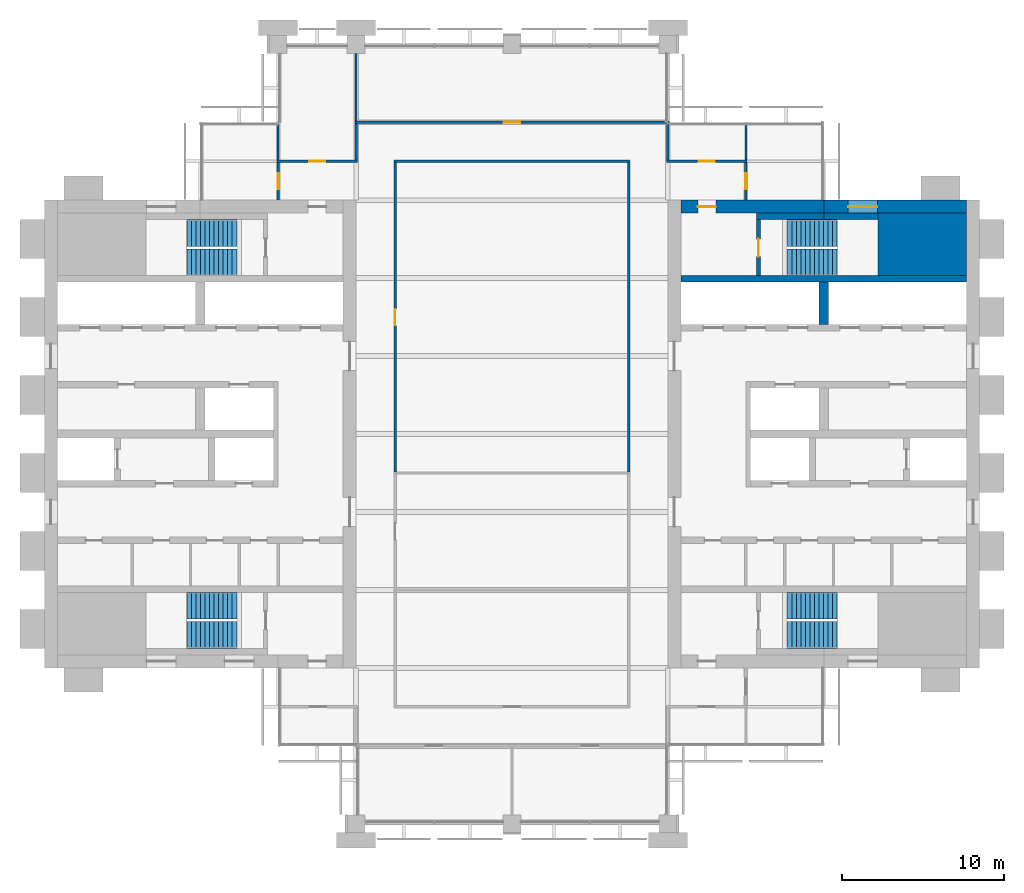
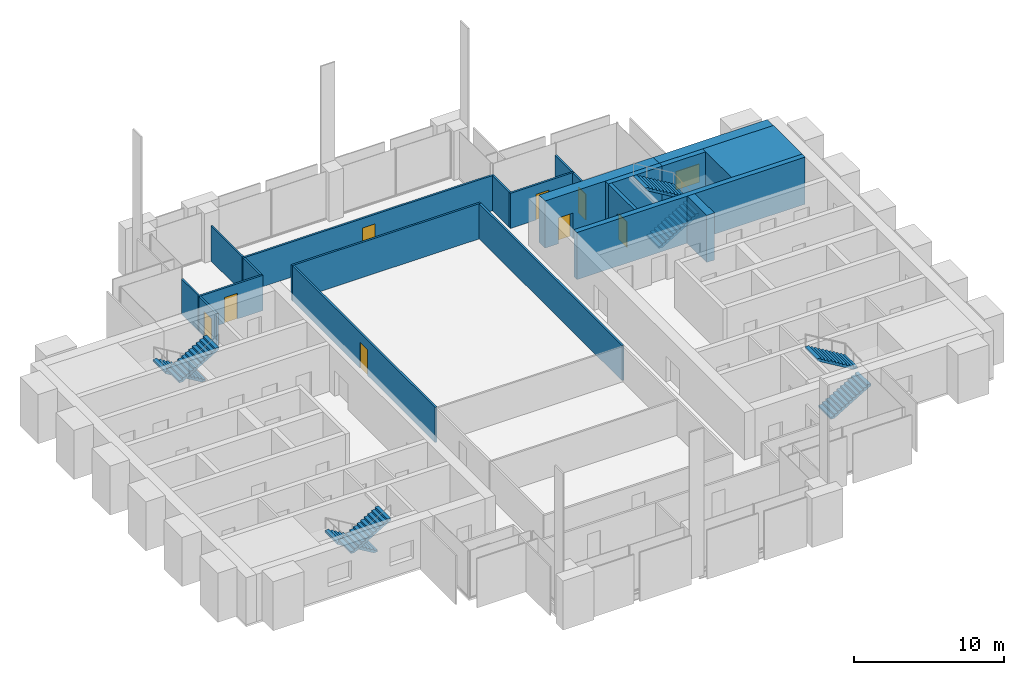
# One storey, part 11 of 13: 21 walls, 8 doors, 8 stair flights, 1 window, 9 openings, 4 elements without a shape of their own.
"""IFC4 building model written with IfcOpenShell, lengths in metres."""

import ifcopenshell
import ifcopenshell.guid

model = None  # the IFC model being written
_history = None  # IfcOwnerHistory: only IFC2X3 demands one
_inside = {}  # id of a spatial element -> (the spatial element, [elements in it])
_under = {}  # id of a project, library or spatial element -> (it, [spatial elements below it])
_declared = {}  # id of a project -> (the project, [libraries it declares])
_typed = {}  # id of a type object -> (the type object, [elements of that type])
_made_of = {}  # id of a material, layer set ... -> (it, [elements and type objects made of it])


def new_model(schema):
    """Start an empty IFC model of exactly this schema.

    Asked for "IFC4X3", IfcOpenShell would pick the latest addendum, in which some entities
    have other attributes; the version numbers below select the first issue.
    IFC2X3 requires an IfcOwnerHistory on every rooted entity: one is made here for all.
    """
    global model, _history
    if schema == "IFC4X3":
        model = ifcopenshell.file(schema_version=(4, 3, 0, 0))
    else:
        model = ifcopenshell.file(schema=schema)
    _inside.clear()
    _under.clear()
    _declared.clear()
    _typed.clear()
    _made_of.clear()
    _history = None
    if model.schema == "IFC2X3":
        org = make("IfcOrganization", Name="unknown")
        user = make(
            "IfcPersonAndOrganization",
            ThePerson=make("IfcPerson", FamilyName="unknown"),
            TheOrganization=org,
        )
        app = make(
            "IfcApplication",
            ApplicationDeveloper=org,
            Version="unknown",
            ApplicationFullName="unknown",
            ApplicationIdentifier="unknown",
        )
        _history = make(
            "IfcOwnerHistory",
            OwningUser=user,
            OwningApplication=app,
            ChangeAction="ADDED",
            CreationDate=0,
        )
    return model


def make(cls, **values):
    """One entity of the class cls with the attributes given. An attribute that is None is left unset."""
    return model.create_entity(
        cls, **{name: value for name, value in values.items() if value is not None}
    )


def rooted(cls, **values):
    """An entity with a GlobalId (a new one), such as an element, a storey or a relation."""
    return make(cls, GlobalId=ifcopenshell.guid.new(), OwnerHistory=_history, **values)


def si_unit(unit_type, name, prefix=None):
    """IfcSIUnit, for example si_unit("LENGTHUNIT", "METRE", prefix="MILLI")."""
    return make("IfcSIUnit", UnitType=unit_type, Prefix=prefix, Name=name)


def assignment(units):
    """IfcUnitAssignment: the units of a project."""
    return None if units is None else make("IfcUnitAssignment", Units=units)


def point(xyz):
    """IfcCartesianPoint."""
    return None if xyz is None else make("IfcCartesianPoint", Coordinates=xyz)


def direction(xyz):
    """IfcDirection."""
    return None if xyz is None else make("IfcDirection", DirectionRatios=xyz)


def frame(location, z_axis=None, x_axis=None):
    """IfcAxis2Placement3D, a coordinate frame: its origin and axes. An axis left out is left unset."""
    return make(
        "IfcAxis2Placement3D",
        Location=point(location),
        Axis=direction(z_axis),
        RefDirection=direction(x_axis),
    )


def frame_2d(location, x_axis=None):
    """IfcAxis2Placement2D, a coordinate frame in the plane: its origin and x axis."""
    return make(
        "IfcAxis2Placement2D", Location=point(location), RefDirection=direction(x_axis)
    )


def origin():
    """The frame at (0, 0, 0) with its axes left unset."""
    return frame((0.0, 0.0, 0.0))


def place(relative_to, where):
    """IfcLocalPlacement: puts the frame where relative to a parent placement (None: the world)."""
    return make(
        "IfcLocalPlacement", PlacementRelTo=relative_to, RelativePlacement=where
    )


def context(
    kind, dimensions, precision=None, world=None, true_north=None, identifier=None
):
    """IfcGeometricRepresentationContext, for example the 3D "Model" context."""
    return make(
        "IfcGeometricRepresentationContext",
        ContextIdentifier=identifier,
        ContextType=kind,
        CoordinateSpaceDimension=dimensions,
        Precision=precision,
        WorldCoordinateSystem=world,
        TrueNorth=true_north,
    )


def subcontext(parent, identifier, kind, view, scale=None):
    """IfcGeometricRepresentationSubContext, for example "Body" below "Model"."""
    return make(
        "IfcGeometricRepresentationSubContext",
        ContextIdentifier=identifier,
        ContextType=kind,
        ParentContext=parent,
        TargetScale=scale,
        TargetView=view,
    )


def project(units=None, contexts=None):
    """IfcProject with its units and contexts."""
    return rooted(
        "IfcProject",
        Name="project",
        RepresentationContexts=contexts,
        UnitsInContext=assignment(units),
    )


def spatial(cls, under=None, at=None, **own):
    """A site, building, storey or space (cls), placed at a placement, below another one or the project."""
    s = rooted(cls, ObjectPlacement=at, **own)
    if under is not None:
        _under.setdefault(under.id(), (under, []))[1].append(s)
    return s


def polyline(points):
    """IfcPolyline through the points."""
    return make("IfcPolyline", Points=[point(p) for p in points])


def profile(cls, at=None, kind="AREA", **sizes):
    """A parametric profile (cls). Its sizes go by their IFC names, for example OverallWidth=200.0."""
    return make(cls, ProfileType=kind, Position=at, **sizes)


def rectangle(**sizes):
    """IfcRectangleProfileDef."""
    return profile("IfcRectangleProfileDef", **sizes)


def outline(outer, holes=None, kind="AREA"):
    """IfcArbitraryClosedProfileDef: a profile drawn as a closed curve; with holes, ...WithVoids."""
    if holes is None:
        return make("IfcArbitraryClosedProfileDef", ProfileType=kind, OuterCurve=outer)
    return make(
        "IfcArbitraryProfileDefWithVoids",
        ProfileType=kind,
        OuterCurve=outer,
        InnerCurves=holes,
    )


def extrude(swept, where, along, depth):
    """IfcExtrudedAreaSolid: the profile swept, set in the frame where, extruded along a direction by depth."""
    return make(
        "IfcExtrudedAreaSolid",
        SweptArea=swept,
        Position=where,
        ExtrudedDirection=direction(along),
        Depth=depth,
    )


def shape(context_of_items, identifier, shape_type, items):
    """IfcShapeRepresentation: the items that make up one representation, for example the "Body"."""
    return make(
        "IfcShapeRepresentation",
        ContextOfItems=context_of_items,
        RepresentationIdentifier=identifier,
        RepresentationType=shape_type,
        Items=items,
    )


def material(Name=None, Category=None):
    """IfcMaterial."""
    return make("IfcMaterial", Name=Name, Category=Category)


def layer(
    of_material, thickness, ventilated=None, Name=None, Category=None, Priority=None
):
    """IfcMaterialLayer: one layer of a wall or slab, of a material (None: an air gap)."""
    return make(
        "IfcMaterialLayer",
        Material=of_material,
        LayerThickness=thickness,
        IsVentilated=ventilated,
        Name=Name,
        Category=Category,
        Priority=Priority,
    )


def layer_set(layers, Name=None):
    """IfcMaterialLayerSet."""
    return make("IfcMaterialLayerSet", MaterialLayers=layers, LayerSetName=Name)


def made_of(thing, what):
    """Note that an element or type object is made of a material, layer set ...; save() writes the relation."""
    if what is not None:
        _made_of.setdefault(what.id(), (what, []))[1].append(thing)
    return thing


def type_object(cls, material=None, **own):
    """A type object (cls), such as IfcWallType, which elements share."""
    return made_of(rooted(cls, **own), material)


def element(
    cls,
    number,
    at=None,
    inside=None,
    cuts=None,
    type_object=None,
    material=None,
    context=None,
    identifier="Body",
    shape_type=None,
    held_by="IfcProductDefinitionShape",
    body=None,
    shapes=None,
    **own,
):
    """One element of the class cls, such as IfcWall. Its Tag is "e" and its number.

    at: its placement. inside: the storey or other place that contains it. cuts: it is an
    opening in that element (IfcRelVoidsElement). A single representation is given by context,
    identifier, shape_type and body (its items); several are given by shapes. held_by: the class
    of the entity that holds the representations. save() writes the other relations.
    """
    e = rooted(cls, Tag="e%d" % number, ObjectPlacement=at, **own)
    if body is not None:
        shapes = [shape(context, identifier, shape_type, body)]
    if shapes is not None:
        e.Representation = make(held_by, Representations=shapes)
    if inside is not None:
        _inside.setdefault(inside.id(), (inside, []))[1].append(e)
    if cuts is not None:
        rooted(
            "IfcRelVoidsElement", RelatingBuildingElement=cuts, RelatedOpeningElement=e
        )
    if type_object is not None:
        _typed.setdefault(type_object.id(), (type_object, []))[1].append(e)
    return made_of(e, material)


def fill(opening, filler):
    """IfcRelFillsElement: the door or window that sits in an opening."""
    return rooted(
        "IfcRelFillsElement",
        RelatingOpeningElement=opening,
        RelatedBuildingElement=filler,
    )


def aggregate(whole, parts):
    """IfcRelAggregates: a whole, such as a stair, and the parts it consists of."""
    return rooted("IfcRelAggregates", RelatingObject=whole, RelatedObjects=parts)


def save(model, path):
    """Write the relations noted so far, then the file.

    IfcRelAggregates (storeys below a building ...), IfcRelContainedInSpatialStructure (elements
    in a storey), IfcRelDefinesByType, IfcRelAssociatesMaterial and IfcRelDeclares: one each for
    every whole, place, type object, material and project.
    """
    for whole, parts in _under.values():
        aggregate(whole, parts)
    for where, things in _inside.values():
        rooted(
            "IfcRelContainedInSpatialStructure",
            RelatedElements=things,
            RelatingStructure=where,
        )
    for kind, things in _typed.values():
        rooted("IfcRelDefinesByType", RelatedObjects=things, RelatingType=kind)
    for what, things in _made_of.values():
        rooted("IfcRelAssociatesMaterial", RelatedObjects=things, RelatingMaterial=what)
    for by, libraries in _declared.values():
        rooted("IfcRelDeclares", RelatingContext=by, RelatedDefinitions=libraries)
    model.write(path)


model = new_model("IFC4")

# Units and contexts
model_context = context("Model", 3, precision=1e-05, world=origin(), true_north=direction((0.0, 1.0)))
body_context = subcontext(model_context, "Body", "Model", "MODEL_VIEW")
ifc_project = project(units=[si_unit("LENGTHUNIT", "METRE"), si_unit("AREAUNIT", "SQUARE_METRE"), si_unit("VOLUMEUNIT", "CUBIC_METRE"), si_unit("PLANEANGLEUNIT", "RADIAN"), si_unit("MASSUNIT", "GRAM", prefix="KILO")], contexts=[model_context])

# Site, building, storey
site_placement = place(None, origin())
site = spatial("IfcSite", under=ifc_project, at=site_placement, CompositionType="ELEMENT")
building_placement = place(site_placement, origin())
building = spatial("IfcBuilding", under=site, at=building_placement, Name="Baori Bourse Tower", CompositionType="ELEMENT")
storey_placement = place(building_placement, frame((0.0, 0.0, 213.199951171875)))
storey = spatial("IfcBuildingStorey", under=building, at=storey_placement, Name="L46", CompositionType="ELEMENT", Elevation=213.199951171875)

# Wall
ifc_material_1 = material(Name="Concrete f'c 50 MPa", Category="concrete")
wall_type_1 = type_object("IfcWallType", Name="Core corner block f'c 50", PredefinedType="SHEAR", material=ifc_material_1)
wall_1_placement = place(storey_placement, frame((51.35009765625, 35.675048828125, 0.0), z_axis=(0.0, 0.0, 1.0), x_axis=(1.0, 0.0, 0.0)))
element("IfcWall", 1, at=wall_1_placement, inside=storey, type_object=wall_type_1, Name="Core wall E25", PredefinedType="SHEAR", context=body_context, shape_type="SweptSolid", body=[
    extrude(rectangle(XDim=5.449951171875, YDim=3.85009765625, at=frame_2d((2.72509765625, 0.0))), origin(), (0.0, 0.0, 1.0), 3.840087890625),
])

# Wall, opening, window
ifc_material_2 = material(Name="Concrete f'c 50 MPa", Category="concrete")
ifc_layer_1 = layer(ifc_material_2, 0.800048828125)
ifc_layer_set_1 = layer_set([ifc_layer_1], Name="Core wall 800 f'c 50")
wall_type_2 = type_object("IfcWallType", Name="Core wall 800 f'c 50", PredefinedType="SHEAR", material=ifc_layer_set_1)
wall_2_placement = place(storey_placement, frame((48.0, 38.0, 0.0), z_axis=(0.0, 0.0, 1.0), x_axis=(1.0, 0.0, 0.0)))
wall_2 = element("IfcWall", 2, at=wall_2_placement, inside=storey, type_object=wall_type_2, Name="Core wall E29", PredefinedType="SHEAR", context=body_context, shape_type="SweptSolid", body=[
    extrude(rectangle(XDim=8.800048828125, YDim=0.800048828125, at=frame_2d((4.39990234375, 0.0))), origin(), (0.0, 0.0, 1.0), 3.840087890625),
])
opening_1_placement = place(wall_2_placement, frame((1.5, 0.0, 0.89990234375)))
opening_1 = element("IfcOpeningElement", 3, at=opening_1_placement, cuts=wall_2, Name="Opening L46-KW204", PredefinedType="OPENING", context=body_context, shape_type="SweptSolid", body=[
    extrude(rectangle(XDim=1.800048828125, YDim=1.5, at=frame_2d((0.89990234375, 0.75))), frame((0.0, 0.409912109375, 0.0), z_axis=(0.0, -1.0, 0.0), x_axis=(1.0, 0.0, 0.0)), (0.0, 0.0, 1.0), 0.820068359375),
])
ifc_material_3 = material(Name="Pale anodised aluminium", Category="aluminium")
window_type = type_object("IfcWindowType", Name="Stair window 1800 x 1500", PartitioningType="SINGLE_PANEL", PredefinedType="WINDOW", material=ifc_material_3)
window_placement = place(opening_1_placement, origin())
window = element("IfcWindow", 4, at=window_placement, inside=storey, type_object=window_type, Name="Stair window E L46 4", OverallHeight=1.5, OverallWidth=1.800048828125, PartitioningType="SINGLE_PANEL", PredefinedType="WINDOW", context=body_context, shape_type="SweptSolid", body=[
    extrude(rectangle(XDim=1.800048828125, YDim=1.5, at=frame_2d((0.89990234375, 0.75))), frame((0.0, 0.030029296875, 0.0), z_axis=(0.0, -1.0, 0.0), x_axis=(1.0, 0.0, 0.0)), (0.0, 0.0, 1.0), 0.06005859375),
])
fill(opening_1, window)

# Wall, opening, door
wall_3_placement = place(storey_placement, frame((39.199951171875, 38.0, 0.0), z_axis=(0.0, 0.0, 1.0), x_axis=(1.0, 0.0, 0.0)))
wall_3 = element("IfcWall", 5, at=wall_3_placement, inside=storey, type_object=wall_type_2, Name="Core wall E30", PredefinedType="SHEAR", context=body_context, shape_type="SweptSolid", body=[
    extrude(rectangle(XDim=8.800048828125, YDim=0.800048828125, at=frame_2d((4.39990234375, 0.0))), origin(), (0.0, 0.0, 1.0), 3.840087890625),
])
opening_2_placement = place(wall_3_placement, frame((1.050048828125, 0.0, 0.0)))
opening_2 = element("IfcOpeningElement", 6, at=opening_2_placement, cuts=wall_3, Name="Opening L46-D204", PredefinedType="OPENING", context=body_context, shape_type="SweptSolid", body=[
    extrude(rectangle(XDim=1.10009765625, YDim=2.10009765625, at=frame_2d((0.550048828125, 1.050048828125))), frame((0.0, 0.409912109375, 0.0), z_axis=(0.0, -1.0, 0.0), x_axis=(1.0, 0.0, 0.0)), (0.0, 0.0, 1.0), 0.820068359375),
])
ifc_material_4 = material(Name="Painted steel door", Category="steel")
door_type_1 = type_object("IfcDoorType", Name="Stair door 1100", OperationType="SINGLE_SWING_LEFT", PredefinedType="DOOR", material=ifc_material_4)
door_1_placement = place(opening_2_placement, origin())
door_1 = element("IfcDoor", 7, at=door_1_placement, inside=storey, type_object=door_type_1, Name="Stair vestibule door B E L46", OperationType="SINGLE_SWING_LEFT", OverallHeight=2.10009765625, OverallWidth=1.10009765625, PredefinedType="DOOR", context=body_context, shape_type="SweptSolid", body=[
    extrude(rectangle(XDim=1.10009765625, YDim=2.10009765625, at=frame_2d((0.550048828125, 1.050048828125))), frame((0.0, 0.02490234375, 0.0), z_axis=(0.0, -1.0, 0.0), x_axis=(1.0, 0.0, 0.0)), (0.0, 0.0, 1.0), 0.050048828125),
])
fill(opening_2, door_1)

ifc_material_5 = material(Name="Gypsum board partition")
ifc_layer_2 = layer(ifc_material_5, 0.14990234375)
ifc_layer_set_2 = layer_set([ifc_layer_2], Name="Corridor partition 150")
wall_type_3 = type_object("IfcWallType", Name="Corridor partition 150", PredefinedType="PARTITIONING", material=ifc_layer_set_2)
wall_4_placement = place(storey_placement, frame((14.324951171875, 40.800048828125, 0.0), z_axis=(0.0, 0.0, 1.0), x_axis=(1.0, 0.0, 0.0)))
wall_4 = element("IfcWall", 8, at=wall_4_placement, inside=storey, type_object=wall_type_3, Name="Partition", PredefinedType="PARTITIONING", context=body_context, shape_type="SweptSolid", body=[
    extrude(rectangle(XDim=4.949951171875, YDim=0.14990234375, at=frame_2d((2.47509765625, 0.0))), origin(), (0.0, 0.0, 1.0), 2.869873046875),
])
opening_3_placement = place(wall_4_placement, frame((1.97509765625, 0.0, 0.0)))
opening_3 = element("IfcOpeningElement", 9, at=opening_3_placement, cuts=wall_4, Name="Opening L46-D06", PredefinedType="OPENING", context=body_context, shape_type="SweptSolid", body=[
    extrude(rectangle(XDim=1.0, YDim=2.10009765625, at=frame_2d((0.5, 1.050048828125))), frame((0.0, 0.0849609375, 0.0), z_axis=(0.0, -1.0, 0.0), x_axis=(1.0, 0.0, 0.0)), (0.0, 0.0, 1.0), 0.169921875),
])
ifc_material_6 = material(Name="Timber door leaf", Category="wood")
door_type_2 = type_object("IfcDoorType", Name="Door 1000 x 2100", OperationType="SINGLE_SWING_LEFT", PredefinedType="DOOR", material=ifc_material_6)
door_2_placement = place(opening_3_placement, origin())
door_2 = element("IfcDoor", 10, at=door_2_placement, inside=storey, type_object=door_type_2, Name="Door", OperationType="SINGLE_SWING_LEFT", OverallHeight=2.10009765625, OverallWidth=1.0, PredefinedType="DOOR", context=body_context, shape_type="SweptSolid", body=[
    extrude(rectangle(XDim=1.0, YDim=2.10009765625, at=frame_2d((0.5, 1.050048828125))), frame((0.0, 0.02490234375, 0.0), z_axis=(0.0, -1.0, 0.0), x_axis=(1.0, 0.0, 0.0)), (0.0, 0.0, 1.0), 0.050048828125),
])
fill(opening_3, door_2)

# Wall
wall_5_placement = place(storey_placement, frame((21.52490234375, 40.800048828125, 0.0), z_axis=(0.0, 0.0, 1.0), x_axis=(1.0, 0.0, 0.0)))
element("IfcWall", 11, at=wall_5_placement, inside=storey, type_object=wall_type_3, Name="Partition", PredefinedType="PARTITIONING", context=body_context, shape_type="SweptSolid", body=[
    extrude(rectangle(XDim=14.550048828125, YDim=0.14990234375, at=frame_2d((7.27490234375, 0.0))), origin(), (0.0, 0.0, 1.0), 2.869873046875),
])

# Wall, opening, door
wall_6_placement = place(storey_placement, frame((38.324951171875, 40.800048828125, 0.0), z_axis=(0.0, 0.0, 1.0), x_axis=(1.0, 0.0, 0.0)))
wall_6 = element("IfcWall", 12, at=wall_6_placement, inside=storey, type_object=wall_type_3, Name="Partition", PredefinedType="PARTITIONING", context=body_context, shape_type="SweptSolid", body=[
    extrude(rectangle(XDim=4.949951171875, YDim=0.14990234375, at=frame_2d((2.47509765625, 0.0))), origin(), (0.0, 0.0, 1.0), 2.869873046875),
])
opening_4_placement = place(wall_6_placement, frame((1.97509765625, 0.0, 0.0)))
opening_4 = element("IfcOpeningElement", 13, at=opening_4_placement, cuts=wall_6, Name="Opening L46-D07", PredefinedType="OPENING", context=body_context, shape_type="SweptSolid", body=[
    extrude(rectangle(XDim=1.0, YDim=2.10009765625, at=frame_2d((0.5, 1.050048828125))), frame((0.0, 0.0849609375, 0.0), z_axis=(0.0, -1.0, 0.0), x_axis=(1.0, 0.0, 0.0)), (0.0, 0.0, 1.0), 0.169921875),
])
door_3_placement = place(opening_4_placement, origin())
door_3 = element("IfcDoor", 14, at=door_3_placement, inside=storey, type_object=door_type_2, Name="Door", OperationType="SINGLE_SWING_RIGHT", OverallHeight=2.10009765625, OverallWidth=1.0, PredefinedType="DOOR", context=body_context, shape_type="SweptSolid", body=[
    extrude(rectangle(XDim=1.0, YDim=2.10009765625, at=frame_2d((0.5, 1.050048828125))), frame((0.0, 0.02490234375, 0.0), z_axis=(0.0, -1.0, 0.0), x_axis=(1.0, 0.0, 0.0)), (0.0, 0.0, 1.0), 0.050048828125),
])
fill(opening_4, door_3)

wall_7_placement = place(storey_placement, frame((19.125, 43.199951171875, 0.0), z_axis=(0.0, 0.0, 1.0), x_axis=(1.0, 0.0, 0.0)))
wall_7 = element("IfcWall", 15, at=wall_7_placement, inside=storey, type_object=wall_type_3, Name="Partition", PredefinedType="PARTITIONING", context=body_context, shape_type="SweptSolid", body=[
    extrude(rectangle(XDim=19.35009765625, YDim=0.14990234375, at=frame_2d((9.675048828125, 0.0))), origin(), (0.0, 0.0, 1.0), 2.869873046875),
])
opening_5_placement = place(wall_7_placement, frame((9.175048828125, 0.0, 0.0)))
opening_5 = element("IfcOpeningElement", 16, at=opening_5_placement, cuts=wall_7, Name="Opening L46-D08", PredefinedType="OPENING", context=body_context, shape_type="SweptSolid", body=[
    extrude(rectangle(XDim=1.0, YDim=2.10009765625, at=frame_2d((0.5, 1.050048828125))), frame((0.0, 0.0849609375, 0.0), z_axis=(0.0, -1.0, 0.0), x_axis=(1.0, 0.0, 0.0)), (0.0, 0.0, 1.0), 0.169921875),
])
door_4_placement = place(opening_5_placement, origin())
door_4 = element("IfcDoor", 17, at=door_4_placement, inside=storey, type_object=door_type_2, Name="Door", OperationType="SINGLE_SWING_RIGHT", OverallHeight=2.10009765625, OverallWidth=1.0, PredefinedType="DOOR", context=body_context, shape_type="SweptSolid", body=[
    extrude(rectangle(XDim=1.0, YDim=2.10009765625, at=frame_2d((0.5, 1.050048828125))), frame((0.0, 0.02490234375, 0.0), z_axis=(0.0, -1.0, 0.0), x_axis=(1.0, 0.0, 0.0)), (0.0, 0.0, 1.0), 0.050048828125),
])
fill(opening_5, door_4)

wall_8_placement = place(storey_placement, frame((14.39990234375, 38.39990234375, 0.0), z_axis=(0.0, 0.0, 1.0), x_axis=(0.0, 1.0, 0.0)))
wall_8 = element("IfcWall", 18, at=wall_8_placement, inside=storey, type_object=wall_type_3, Name="Partition", PredefinedType="PARTITIONING", context=body_context, shape_type="SweptSolid", body=[
    extrude(rectangle(XDim=2.3251953125, YDim=0.14990234375, at=frame_2d((1.16259765625, 0.0))), origin(), (0.0, 0.0, 1.0), 2.869873046875),
])
opening_6_placement = place(wall_8_placement, frame((0.66259765625, 0.0, 0.0)))
opening_6 = element("IfcOpeningElement", 19, at=opening_6_placement, cuts=wall_8, Name="Opening L46-D09", PredefinedType="OPENING", context=body_context, shape_type="SweptSolid", body=[
    extrude(rectangle(XDim=1.0, YDim=2.10009765625, at=frame_2d((0.5, 1.050048828125))), frame((0.0, 0.0849609375, 0.0), z_axis=(0.0, -1.0, 0.0), x_axis=(1.0, 0.0, 0.0)), (0.0, 0.0, 1.0), 0.169921875),
])
door_5_placement = place(opening_6_placement, origin())
door_5 = element("IfcDoor", 20, at=door_5_placement, inside=storey, type_object=door_type_2, Name="Door", OperationType="SINGLE_SWING_RIGHT", OverallHeight=2.10009765625, OverallWidth=1.0, PredefinedType="DOOR", context=body_context, shape_type="SweptSolid", body=[
    extrude(rectangle(XDim=1.0, YDim=2.10009765625, at=frame_2d((0.5, 1.050048828125))), frame((0.0, 0.02490234375, 0.0), z_axis=(0.0, -1.0, 0.0), x_axis=(1.0, 0.0, 0.0)), (0.0, 0.0, 1.0), 0.050048828125),
])
fill(opening_6, door_5)

# Wall
wall_9_placement = place(storey_placement, frame((19.199951171875, 40.875, 0.0), z_axis=(0.0, 0.0, 1.0), x_axis=(0.0, 1.0, 0.0)))
element("IfcWall", 21, at=wall_9_placement, inside=storey, type_object=wall_type_3, Name="Partition", PredefinedType="PARTITIONING", context=body_context, shape_type="SweptSolid", body=[
    extrude(rectangle(XDim=2.25, YDim=0.14990234375, at=frame_2d((1.125, 0.0))), origin(), (0.0, 0.0, 1.0), 2.869873046875),
])

# Wall, opening, door
wall_10_placement = place(storey_placement, frame((21.60009765625, 21.66259765625, 0.0), z_axis=(0.0, 0.0, 1.0), x_axis=(0.0, 1.0, 0.0)))
wall_10 = element("IfcWall", 22, at=wall_10_placement, inside=storey, type_object=wall_type_3, Name="Partition", PredefinedType="PARTITIONING", context=body_context, shape_type="SweptSolid", body=[
    extrude(rectangle(XDim=19.0625, YDim=0.14990234375, at=frame_2d((9.53125, 0.0))), origin(), (0.0, 0.0, 1.0), 2.869873046875),
])
opening_7_placement = place(wall_10_placement, frame((9.03125, 0.0, 0.0)))
opening_7 = element("IfcOpeningElement", 23, at=opening_7_placement, cuts=wall_10, Name="Opening L46-D11", PredefinedType="OPENING", context=body_context, shape_type="SweptSolid", body=[
    extrude(rectangle(XDim=1.0, YDim=2.10009765625, at=frame_2d((0.5, 1.050048828125))), frame((0.0, 0.0849609375, 0.0), z_axis=(0.0, -1.0, 0.0), x_axis=(1.0, 0.0, 0.0)), (0.0, 0.0, 1.0), 0.169921875),
])
door_6_placement = place(opening_7_placement, origin())
door_6 = element("IfcDoor", 24, at=door_6_placement, inside=storey, type_object=door_type_2, Name="Door", OperationType="SINGLE_SWING_LEFT", OverallHeight=2.10009765625, OverallWidth=1.0, PredefinedType="DOOR", context=body_context, shape_type="SweptSolid", body=[
    extrude(rectangle(XDim=1.0, YDim=2.10009765625, at=frame_2d((0.5, 1.050048828125))), frame((0.0, 0.02490234375, 0.0), z_axis=(0.0, -1.0, 0.0), x_axis=(1.0, 0.0, 0.0)), (0.0, 0.0, 1.0), 0.050048828125),
])
fill(opening_7, door_6)

# Walls
wall_11_placement = place(storey_placement, frame((36.0, 21.66259765625, 0.0), z_axis=(0.0, 0.0, 1.0), x_axis=(0.0, 1.0, 0.0)))
element("IfcWall", 25, at=wall_11_placement, inside=storey, type_object=wall_type_3, Name="Partition", PredefinedType="PARTITIONING", context=body_context, shape_type="SweptSolid", body=[
    extrude(rectangle(XDim=19.0625, YDim=0.14990234375, at=frame_2d((9.53125, 0.0))), origin(), (0.0, 0.0, 1.0), 2.869873046875),
])
wall_12_placement = place(storey_placement, frame((38.39990234375, 40.875, 0.0), z_axis=(0.0, 0.0, 1.0), x_axis=(0.0, 1.0, 0.0)))
element("IfcWall", 26, at=wall_12_placement, inside=storey, type_object=wall_type_3, Name="Partition", PredefinedType="PARTITIONING", context=body_context, shape_type="SweptSolid", body=[
    extrude(rectangle(XDim=2.25, YDim=0.14990234375, at=frame_2d((1.125, 0.0))), origin(), (0.0, 0.0, 1.0), 2.869873046875),
])

# Wall, opening, door
wall_13_placement = place(storey_placement, frame((43.199951171875, 38.39990234375, 0.0), z_axis=(0.0, 0.0, 1.0), x_axis=(0.0, 1.0, 0.0)))
wall_13 = element("IfcWall", 27, at=wall_13_placement, inside=storey, type_object=wall_type_3, Name="Partition", PredefinedType="PARTITIONING", context=body_context, shape_type="SweptSolid", body=[
    extrude(rectangle(XDim=2.3251953125, YDim=0.14990234375, at=frame_2d((1.16259765625, 0.0))), origin(), (0.0, 0.0, 1.0), 2.869873046875),
])
opening_8_placement = place(wall_13_placement, frame((0.66259765625, 0.0, 0.0)))
opening_8 = element("IfcOpeningElement", 28, at=opening_8_placement, cuts=wall_13, Name="Opening L46-D13", PredefinedType="OPENING", context=body_context, shape_type="SweptSolid", body=[
    extrude(rectangle(XDim=1.0, YDim=2.10009765625, at=frame_2d((0.5, 1.050048828125))), frame((0.0, 0.0849609375, 0.0), z_axis=(0.0, -1.0, 0.0), x_axis=(1.0, 0.0, 0.0)), (0.0, 0.0, 1.0), 0.169921875),
])
door_7_placement = place(opening_8_placement, origin())
door_7 = element("IfcDoor", 29, at=door_7_placement, inside=storey, type_object=door_type_2, Name="Door", OperationType="SINGLE_SWING_LEFT", OverallHeight=2.10009765625, OverallWidth=1.0, PredefinedType="DOOR", context=body_context, shape_type="SweptSolid", body=[
    extrude(rectangle(XDim=1.0, YDim=2.10009765625, at=frame_2d((0.5, 1.050048828125))), frame((0.0, 0.02490234375, 0.0), z_axis=(0.0, -1.0, 0.0), x_axis=(1.0, 0.0, 0.0)), (0.0, 0.0, 1.0), 0.050048828125),
])
fill(opening_8, door_7)

# Walls
ifc_material_7 = material(Name="Gypsum board partition")
ifc_layer_3 = layer(ifc_material_7, 0.125)
ifc_layer_set_3 = layer_set([ifc_layer_3], Name="Partition 125")
wall_type_4 = type_object("IfcWallType", Name="Partition 125", PredefinedType="PARTITIONING", material=ifc_layer_set_3)
wall_14_placement = place(storey_placement, frame((14.39990234375, 40.875, 0.0), z_axis=(0.0, 0.0, 1.0), x_axis=(0.0, 1.0, 0.0)))
element("IfcWall", 30, at=wall_14_placement, inside=storey, type_object=wall_type_4, Name="Partition", PredefinedType="PARTITIONING", context=body_context, shape_type="SweptSolid", body=[
    extrude(rectangle(XDim=2.22509765625, YDim=0.125, at=frame_2d((1.112548828125, 0.0))), origin(), (0.0, 0.0, 1.0), 2.869873046875),
])
wall_15_placement = place(storey_placement, frame((19.199951171875, 43.27490234375, 0.0), z_axis=(0.0, 0.0, 1.0), x_axis=(0.0, 1.0, 0.0)))
element("IfcWall", 31, at=wall_15_placement, inside=storey, type_object=wall_type_4, Name="Partition", PredefinedType="PARTITIONING", context=body_context, shape_type="SweptSolid", body=[
    extrude(rectangle(XDim=4.175048828125, YDim=0.125, at=frame_2d((2.08740234375, 0.0))), origin(), (0.0, 0.0, 1.0), 2.869873046875),
])
wall_16_placement = place(storey_placement, frame((43.199951171875, 40.875, 0.0), z_axis=(0.0, 0.0, 1.0), x_axis=(0.0, 1.0, 0.0)))
element("IfcWall", 32, at=wall_16_placement, inside=storey, type_object=wall_type_4, Name="Partition", PredefinedType="PARTITIONING", context=body_context, shape_type="SweptSolid", body=[
    extrude(rectangle(XDim=2.22509765625, YDim=0.125, at=frame_2d((1.112548828125, 0.0))), origin(), (0.0, 0.0, 1.0), 2.869873046875),
])

# Wall, opening, door
ifc_material_8 = material(Name="Concrete f'c 50 MPa", Category="concrete")
ifc_layer_4 = layer(ifc_material_8, 0.25)
ifc_layer_set_4 = layer_set([ifc_layer_4], Name="Shaft wall 250 f'c 50")
wall_type_5 = type_object("IfcWallType", Name="Shaft wall 250 f'c 50", PredefinedType="SHEAR", material=ifc_layer_set_4)
wall_17_placement = place(storey_placement, frame((43.97509765625, 33.75, 0.0), z_axis=(0.0, 0.0, 1.0), x_axis=(0.0, 1.0, 0.0)))
wall_17 = element("IfcWall", 33, at=wall_17_placement, inside=storey, type_object=wall_type_5, Name="Core wall E26", PredefinedType="SHEAR", context=body_context, shape_type="SweptSolid", body=[
    extrude(rectangle(XDim=3.449951171875, YDim=0.25, at=frame_2d((1.72509765625, 0.0))), origin(), (0.0, 0.0, 1.0), 3.840087890625),
])
opening_9_placement = place(wall_17_placement, frame((1.175048828125, 0.0, 0.0)))
opening_9 = element("IfcOpeningElement", 34, at=opening_9_placement, cuts=wall_17, Name="Opening L46-D203", PredefinedType="OPENING", context=body_context, shape_type="SweptSolid", body=[
    extrude(rectangle(XDim=1.10009765625, YDim=2.10009765625, at=frame_2d((0.550048828125, 1.050048828125))), frame((0.0, 0.135009765625, 0.0), z_axis=(0.0, -1.0, 0.0), x_axis=(1.0, 0.0, 0.0)), (0.0, 0.0, 1.0), 0.27001953125),
])
door_8_placement = place(opening_9_placement, origin())
door_8 = element("IfcDoor", 35, at=door_8_placement, inside=storey, type_object=door_type_1, Name="Stair door B E L46", OperationType="SINGLE_SWING_LEFT", OverallHeight=2.10009765625, OverallWidth=1.10009765625, PredefinedType="DOOR", context=body_context, shape_type="SweptSolid", body=[
    extrude(rectangle(XDim=1.10009765625, YDim=2.10009765625, at=frame_2d((0.550048828125, 1.050048828125))), frame((0.0, 0.02490234375, 0.0), z_axis=(0.0, -1.0, 0.0), x_axis=(1.0, 0.0, 0.0)), (0.0, 0.0, 1.0), 0.050048828125),
])
fill(opening_9, door_8)

# Walls
ifc_material_9 = material(Name="Concrete f'c 50 MPa", Category="concrete")
ifc_layer_5 = layer(ifc_material_9, 0.39990234375)
ifc_layer_set_5 = layer_set([ifc_layer_5], Name="Shaft wall 400 f'c 50")
wall_type_6 = type_object("IfcWallType", Name="Shaft wall 400 f'c 50", PredefinedType="SHEAR", material=ifc_layer_set_5)
wall_18_placement = place(storey_placement, frame((39.199951171875, 33.550048828125, 0.0), z_axis=(0.0, 0.0, 1.0), x_axis=(1.0, 0.0, 0.0)))
element("IfcWall", 36, at=wall_18_placement, inside=storey, type_object=wall_type_6, Name="Core wall E24", PredefinedType="SHEAR", context=body_context, shape_type="SweptSolid", body=[
    extrude(rectangle(XDim=17.60009765625, YDim=0.39990234375, at=frame_2d((8.800048828125, 0.0))), origin(), (0.0, 0.0, 1.0), 3.840087890625),
])
wall_19_placement = place(storey_placement, frame((48.0, 37.39990234375, 0.0), z_axis=(0.0, 0.0, 1.0), x_axis=(1.0, 0.0, 0.0)))
element("IfcWall", 37, at=wall_19_placement, inside=storey, type_object=wall_type_6, Name="Core wall E27", PredefinedType="SHEAR", context=body_context, shape_type="SweptSolid", body=[
    extrude(rectangle(XDim=3.35009765625, YDim=0.39990234375, at=frame_2d((1.675048828125, 0.0))), origin(), (0.0, 0.0, 1.0), 3.840087890625),
])
wall_20_placement = place(storey_placement, frame((43.85009765625, 37.39990234375, 0.0), z_axis=(0.0, 0.0, 1.0), x_axis=(1.0, 0.0, 0.0)))
element("IfcWall", 38, at=wall_20_placement, inside=storey, type_object=wall_type_6, Name="Core wall E28", PredefinedType="SHEAR", context=body_context, shape_type="SweptSolid", body=[
    extrude(rectangle(XDim=4.14990234375, YDim=0.39990234375, at=frame_2d((2.074951171875, 0.0))), origin(), (0.0, 0.0, 1.0), 3.840087890625),
])
ifc_material_10 = material(Name="Concrete f'c 50 MPa", Category="concrete")
ifc_layer_6 = layer(ifc_material_10, 0.60009765625)
ifc_layer_set_6 = layer_set([ifc_layer_6], Name="Shaft wall 600 f'c 50")
wall_type_7 = type_object("IfcWallType", Name="Shaft wall 600 f'c 50", PredefinedType="SHEAR", material=ifc_layer_set_6)
wall_21_placement = place(storey_placement, frame((48.0, 30.75, 0.0), z_axis=(0.0, 0.0, 1.0), x_axis=(0.0, 1.0, 0.0)))
element("IfcWall", 39, at=wall_21_placement, inside=storey, type_object=wall_type_7, Name="Core wall E23", PredefinedType="SHEAR", context=body_context, shape_type="SweptSolid", body=[
    extrude(rectangle(XDim=2.60009765625, YDim=0.60009765625, at=frame_2d((1.300048828125, 0.0))), origin(), (0.0, 0.0, 1.0), 3.840087890625),
])

# Stair, stair flights
ifc_material_11 = material(Name="Concrete f'c 50 MPa", Category="concrete")
stair_type = type_object("IfcStairType", Name="Core stair", PredefinedType="HALF_TURN_STAIR", material=ifc_material_11)
stair_1_placement = place(storey_placement, origin())
stair_1 = element("IfcStair", 40, at=stair_1_placement, inside=storey, type_object=stair_type, Name="L46 Stair WA", PredefinedType="HALF_TURN_STAIR")
ifc_material_12 = material(Name="Concrete f'c 50 MPa", Category="concrete")
stair_flight_type = type_object("IfcStairFlightType", Name="Core stair flight", PredefinedType="STRAIGHT", material=ifc_material_12)
stair_flight_1_placement = place(storey_placement, frame((11.85009765625, 13.425048828125, 0.0), z_axis=(0.0, 0.0, 1.0), x_axis=(-1.0, 0.0, 0.0)))
stair_flight_1 = element("IfcStairFlight", 41, at=stair_flight_1_placement, type_object=stair_flight_type, Name="ST1 flight 1", NumberOfRisers=12, NumberOfTreads=11, PredefinedType="STRAIGHT", RiserHeight=0.166666667, TreadLength=0.28, context=body_context, shape_type="SweptSolid", body=[
    extrude(outline(polyline([(0.0, 0.0), (0.0, 0.166748046875), (0.280029296875, 0.166748046875), (0.280029296875, 0.333251953125), (0.56005859375, 0.333251953125), (0.56005859375, 0.5), (0.840087890625, 0.5), (0.840087890625, 0.666748046875), (1.1201171875, 0.666748046875), (1.1201171875, 0.833251953125), (1.39990234375, 0.833251953125), (1.39990234375, 1.0), (1.679931640625, 1.0), (1.679931640625, 1.166748046875), (1.9599609375, 1.166748046875), (1.9599609375, 1.333251953125), (2.239990234375, 1.333251953125), (2.239990234375, 1.5), (2.52001953125, 1.5), (2.52001953125, 1.666748046875), (2.800048828125, 1.666748046875), (2.800048828125, 1.833251953125), (3.080078125, 1.833251953125), (3.080078125, 2.0), (3.080078125, 1.658935546875), (0.29296875, 0.0), (0.0, 0.0)])), frame((0.0, 0.824951171875, 0.0), z_axis=(0.0, -1.0, 0.0), x_axis=(1.0, 0.0, 0.0)), (0.0, 0.0, 1.0), 1.64990234375),
])
stair_flight_2_placement = place(storey_placement, frame((8.77001953125, 11.625, 2.0), z_axis=(0.0, 0.0, 1.0), x_axis=(1.0, 0.0, 0.0)))
stair_flight_2 = element("IfcStairFlight", 42, at=stair_flight_2_placement, type_object=stair_flight_type, Name="ST1 flight 2", NumberOfRisers=12, NumberOfTreads=11, PredefinedType="STRAIGHT", RiserHeight=0.166666667, TreadLength=0.28, context=body_context, shape_type="SweptSolid", body=[
    extrude(outline(polyline([(0.0, 0.0), (0.0, 0.166748046875), (0.280029296875, 0.166748046875), (0.280029296875, 0.333251953125), (0.56005859375, 0.333251953125), (0.56005859375, 0.5), (0.840087890625, 0.5), (0.840087890625, 0.666748046875), (1.1201171875, 0.666748046875), (1.1201171875, 0.833251953125), (1.39990234375, 0.833251953125), (1.39990234375, 1.0), (1.679931640625, 1.0), (1.679931640625, 1.166748046875), (1.9599609375, 1.166748046875), (1.9599609375, 1.333251953125), (2.239990234375, 1.333251953125), (2.239990234375, 1.5), (2.52001953125, 1.5), (2.52001953125, 1.666748046875), (2.800048828125, 1.666748046875), (2.800048828125, 1.833251953125), (3.080078125, 1.833251953125), (3.080078125, 2.0), (3.080078125, 1.658935546875), (0.29296875, 0.0), (0.0, 0.0)])), frame((0.0, 0.824951171875, 0.0), z_axis=(0.0, -1.0, 0.0), x_axis=(1.0, 0.0, 0.0)), (0.0, 0.0, 1.0), 1.64990234375),
])
aggregate(stair_1, [stair_flight_1, stair_flight_2])

stair_2_placement = place(storey_placement, origin())
stair_2 = element("IfcStair", 43, at=stair_2_placement, inside=storey, type_object=stair_type, Name="L46 Stair WB", PredefinedType="HALF_TURN_STAIR")
stair_flight_3_placement = place(storey_placement, frame((11.85009765625, 36.375, 0.0), z_axis=(0.0, 0.0, 1.0), x_axis=(-1.0, 0.0, 0.0)))
stair_flight_3 = element("IfcStairFlight", 44, at=stair_flight_3_placement, type_object=stair_flight_type, Name="ST2 flight 1", NumberOfRisers=12, NumberOfTreads=11, PredefinedType="STRAIGHT", RiserHeight=0.166666667, TreadLength=0.28, context=body_context, shape_type="SweptSolid", body=[
    extrude(outline(polyline([(0.0, 0.0), (0.0, 0.166748046875), (0.280029296875, 0.166748046875), (0.280029296875, 0.333251953125), (0.56005859375, 0.333251953125), (0.56005859375, 0.5), (0.840087890625, 0.5), (0.840087890625, 0.666748046875), (1.1201171875, 0.666748046875), (1.1201171875, 0.833251953125), (1.39990234375, 0.833251953125), (1.39990234375, 1.0), (1.679931640625, 1.0), (1.679931640625, 1.166748046875), (1.9599609375, 1.166748046875), (1.9599609375, 1.333251953125), (2.239990234375, 1.333251953125), (2.239990234375, 1.5), (2.52001953125, 1.5), (2.52001953125, 1.666748046875), (2.800048828125, 1.666748046875), (2.800048828125, 1.833251953125), (3.080078125, 1.833251953125), (3.080078125, 2.0), (3.080078125, 1.658935546875), (0.29296875, 0.0), (0.0, 0.0)])), frame((0.0, 0.824951171875, 0.0), z_axis=(0.0, -1.0, 0.0), x_axis=(1.0, 0.0, 0.0)), (0.0, 0.0, 1.0), 1.64990234375),
])
stair_flight_4_placement = place(storey_placement, frame((8.77001953125, 34.574951171875, 2.0), z_axis=(0.0, 0.0, 1.0), x_axis=(1.0, 0.0, 0.0)))
stair_flight_4 = element("IfcStairFlight", 45, at=stair_flight_4_placement, type_object=stair_flight_type, Name="ST2 flight 2", NumberOfRisers=12, NumberOfTreads=11, PredefinedType="STRAIGHT", RiserHeight=0.166666667, TreadLength=0.28, context=body_context, shape_type="SweptSolid", body=[
    extrude(outline(polyline([(0.0, 0.0), (0.0, 0.166748046875), (0.280029296875, 0.166748046875), (0.280029296875, 0.333251953125), (0.56005859375, 0.333251953125), (0.56005859375, 0.5), (0.840087890625, 0.5), (0.840087890625, 0.666748046875), (1.1201171875, 0.666748046875), (1.1201171875, 0.833251953125), (1.39990234375, 0.833251953125), (1.39990234375, 1.0), (1.679931640625, 1.0), (1.679931640625, 1.166748046875), (1.9599609375, 1.166748046875), (1.9599609375, 1.333251953125), (2.239990234375, 1.333251953125), (2.239990234375, 1.5), (2.52001953125, 1.5), (2.52001953125, 1.666748046875), (2.800048828125, 1.666748046875), (2.800048828125, 1.833251953125), (3.080078125, 1.833251953125), (3.080078125, 2.0), (3.080078125, 1.658935546875), (0.29296875, 0.0), (0.0, 0.0)])), frame((0.0, 0.824951171875, 0.0), z_axis=(0.0, -1.0, 0.0), x_axis=(1.0, 0.0, 0.0)), (0.0, 0.0, 1.0), 1.64990234375),
])
aggregate(stair_2, [stair_flight_3, stair_flight_4])

stair_3_placement = place(storey_placement, origin())
stair_3 = element("IfcStair", 46, at=stair_3_placement, inside=storey, type_object=stair_type, Name="L46 Stair EA", PredefinedType="HALF_TURN_STAIR")
stair_flight_5_placement = place(storey_placement, frame((45.75, 11.625, 0.0), z_axis=(0.0, 0.0, 1.0), x_axis=(1.0, 0.0, 0.0)))
stair_flight_5 = element("IfcStairFlight", 47, at=stair_flight_5_placement, type_object=stair_flight_type, Name="ST3 flight 1", NumberOfRisers=12, NumberOfTreads=11, PredefinedType="STRAIGHT", RiserHeight=0.166666667, TreadLength=0.28, context=body_context, shape_type="SweptSolid", body=[
    extrude(outline(polyline([(0.0, 0.0), (0.0, 0.166748046875), (0.280029296875, 0.166748046875), (0.280029296875, 0.333251953125), (0.56005859375, 0.333251953125), (0.56005859375, 0.5), (0.840087890625, 0.5), (0.840087890625, 0.666748046875), (1.1201171875, 0.666748046875), (1.1201171875, 0.833251953125), (1.39990234375, 0.833251953125), (1.39990234375, 1.0), (1.679931640625, 1.0), (1.679931640625, 1.166748046875), (1.9599609375, 1.166748046875), (1.9599609375, 1.333251953125), (2.239990234375, 1.333251953125), (2.239990234375, 1.5), (2.52001953125, 1.5), (2.52001953125, 1.666748046875), (2.800048828125, 1.666748046875), (2.800048828125, 1.833251953125), (3.080078125, 1.833251953125), (3.080078125, 2.0), (3.080078125, 1.658935546875), (0.29296875, 0.0), (0.0, 0.0)])), frame((0.0, 0.824951171875, 0.0), z_axis=(0.0, -1.0, 0.0), x_axis=(1.0, 0.0, 0.0)), (0.0, 0.0, 1.0), 1.64990234375),
])
stair_flight_6_placement = place(storey_placement, frame((48.830078125, 13.425048828125, 2.0), z_axis=(0.0, 0.0, 1.0), x_axis=(-1.0, 0.0, 0.0)))
stair_flight_6 = element("IfcStairFlight", 48, at=stair_flight_6_placement, type_object=stair_flight_type, Name="ST3 flight 2", NumberOfRisers=12, NumberOfTreads=11, PredefinedType="STRAIGHT", RiserHeight=0.166666667, TreadLength=0.28, context=body_context, shape_type="SweptSolid", body=[
    extrude(outline(polyline([(0.0, 0.0), (0.0, 0.166748046875), (0.280029296875, 0.166748046875), (0.280029296875, 0.333251953125), (0.56005859375, 0.333251953125), (0.56005859375, 0.5), (0.840087890625, 0.5), (0.840087890625, 0.666748046875), (1.1201171875, 0.666748046875), (1.1201171875, 0.833251953125), (1.39990234375, 0.833251953125), (1.39990234375, 1.0), (1.679931640625, 1.0), (1.679931640625, 1.166748046875), (1.9599609375, 1.166748046875), (1.9599609375, 1.333251953125), (2.239990234375, 1.333251953125), (2.239990234375, 1.5), (2.52001953125, 1.5), (2.52001953125, 1.666748046875), (2.800048828125, 1.666748046875), (2.800048828125, 1.833251953125), (3.080078125, 1.833251953125), (3.080078125, 2.0), (3.080078125, 1.658935546875), (0.29296875, 0.0), (0.0, 0.0)])), frame((0.0, 0.824951171875, 0.0), z_axis=(0.0, -1.0, 0.0), x_axis=(1.0, 0.0, 0.0)), (0.0, 0.0, 1.0), 1.64990234375),
])
aggregate(stair_3, [stair_flight_5, stair_flight_6])

stair_4_placement = place(storey_placement, origin())
stair_4 = element("IfcStair", 49, at=stair_4_placement, inside=storey, type_object=stair_type, Name="L46 Stair EB", PredefinedType="HALF_TURN_STAIR")
stair_flight_7_placement = place(storey_placement, frame((45.75, 34.574951171875, 0.0), z_axis=(0.0, 0.0, 1.0), x_axis=(1.0, 0.0, 0.0)))
stair_flight_7 = element("IfcStairFlight", 50, at=stair_flight_7_placement, type_object=stair_flight_type, Name="ST4 flight 1", NumberOfRisers=12, NumberOfTreads=11, PredefinedType="STRAIGHT", RiserHeight=0.166666667, TreadLength=0.28, context=body_context, shape_type="SweptSolid", body=[
    extrude(outline(polyline([(0.0, 0.0), (0.0, 0.166748046875), (0.280029296875, 0.166748046875), (0.280029296875, 0.333251953125), (0.56005859375, 0.333251953125), (0.56005859375, 0.5), (0.840087890625, 0.5), (0.840087890625, 0.666748046875), (1.1201171875, 0.666748046875), (1.1201171875, 0.833251953125), (1.39990234375, 0.833251953125), (1.39990234375, 1.0), (1.679931640625, 1.0), (1.679931640625, 1.166748046875), (1.9599609375, 1.166748046875), (1.9599609375, 1.333251953125), (2.239990234375, 1.333251953125), (2.239990234375, 1.5), (2.52001953125, 1.5), (2.52001953125, 1.666748046875), (2.800048828125, 1.666748046875), (2.800048828125, 1.833251953125), (3.080078125, 1.833251953125), (3.080078125, 2.0), (3.080078125, 1.658935546875), (0.29296875, 0.0), (0.0, 0.0)])), frame((0.0, 0.824951171875, 0.0), z_axis=(0.0, -1.0, 0.0), x_axis=(1.0, 0.0, 0.0)), (0.0, 0.0, 1.0), 1.64990234375),
])
stair_flight_8_placement = place(storey_placement, frame((48.830078125, 36.375, 2.0), z_axis=(0.0, 0.0, 1.0), x_axis=(-1.0, 0.0, 0.0)))
stair_flight_8 = element("IfcStairFlight", 51, at=stair_flight_8_placement, type_object=stair_flight_type, Name="ST4 flight 2", NumberOfRisers=12, NumberOfTreads=11, PredefinedType="STRAIGHT", RiserHeight=0.166666667, TreadLength=0.28, context=body_context, shape_type="SweptSolid", body=[
    extrude(outline(polyline([(0.0, 0.0), (0.0, 0.166748046875), (0.280029296875, 0.166748046875), (0.280029296875, 0.333251953125), (0.56005859375, 0.333251953125), (0.56005859375, 0.5), (0.840087890625, 0.5), (0.840087890625, 0.666748046875), (1.1201171875, 0.666748046875), (1.1201171875, 0.833251953125), (1.39990234375, 0.833251953125), (1.39990234375, 1.0), (1.679931640625, 1.0), (1.679931640625, 1.166748046875), (1.9599609375, 1.166748046875), (1.9599609375, 1.333251953125), (2.239990234375, 1.333251953125), (2.239990234375, 1.5), (2.52001953125, 1.5), (2.52001953125, 1.666748046875), (2.800048828125, 1.666748046875), (2.800048828125, 1.833251953125), (3.080078125, 1.833251953125), (3.080078125, 2.0), (3.080078125, 1.658935546875), (0.29296875, 0.0), (0.0, 0.0)])), frame((0.0, 0.824951171875, 0.0), z_axis=(0.0, -1.0, 0.0), x_axis=(1.0, 0.0, 0.0)), (0.0, 0.0, 1.0), 1.64990234375),
])
aggregate(stair_4, [stair_flight_7, stair_flight_8])

save(model, "model.ifc")
